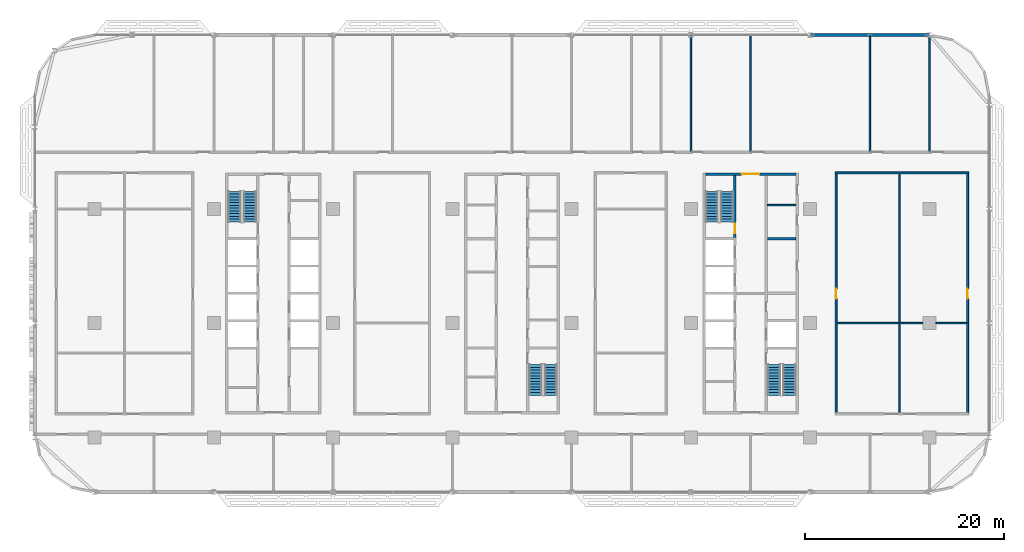
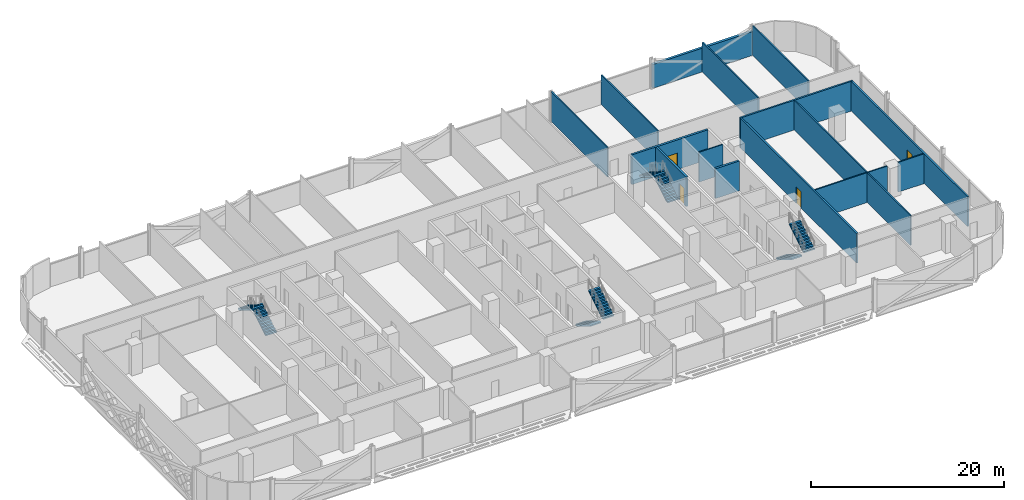
# One storey, part 18 of 28: 15 walls, 8 stair flights, 4 doors, 4 openings, 4 elements without a shape of their own.
"""IFC4 building model written with IfcOpenShell, lengths in metres."""

from ifc_helpers import new_model, si_unit, direction, frame, frame_2d, origin, place, context, subcontext, project, spatial, polyline, rectangle, outline, extrude, material, layer, layer_set, type_object, element, fill, aggregate, save


model = new_model("IFC4")

# Units and contexts
model_context = context("Model", 3, precision=1e-05, world=origin(), true_north=direction((0.0, 1.0)))
body_context = subcontext(model_context, "Body", "Model", "MODEL_VIEW")
ifc_project = project(units=[si_unit("LENGTHUNIT", "METRE"), si_unit("AREAUNIT", "SQUARE_METRE"), si_unit("VOLUMEUNIT", "CUBIC_METRE"), si_unit("PLANEANGLEUNIT", "RADIAN"), si_unit("MASSUNIT", "GRAM", prefix="KILO")], contexts=[model_context])

# Site, building, storey
site_placement = place(None, origin())
site = spatial("IfcSite", under=ifc_project, at=site_placement, CompositionType="ELEMENT")
building_placement = place(site_placement, origin())
building = spatial("IfcBuilding", under=site, at=building_placement, Name="Mahtab Terrace Research Tower", CompositionType="ELEMENT")
storey_placement = place(building_placement, frame((0.0, 0.0, 130.199951171875)))
storey = spatial("IfcBuildingStorey", under=building, at=storey_placement, Name="L30", CompositionType="ELEMENT", Elevation=130.199951171875)

# Wall
ifc_material_1 = material(Name="Gypsum board partition")
ifc_layer_1 = layer(ifc_material_1, 0.14990234375)
ifc_layer_set_1 = layer_set([ifc_layer_1], Name="Core partition 150")
wall_type_1 = type_object("IfcWallType", Name="Core partition 150", PredefinedType="PARTITIONING", material=ifc_layer_set_1)
wall_1_placement = place(storey_placement, frame((25.699951171875, 11.875, 0.0), z_axis=(0.0, 0.0, 1.0), x_axis=(1.0, 0.0, 0.0)))
element("IfcWall", 1, at=wall_1_placement, inside=storey, type_object=wall_type_1, Name="Core wall C pEN888", PredefinedType="PARTITIONING", context=body_context, shape_type="SweptSolid", body=[
    extrude(rectangle(XDim=2.85009765625, YDim=0.14990234375, at=frame_2d((1.425048828125, 0.0))), origin(), (0.0, 0.0, 1.0), 3.760009765625),
])

# Wall, opening, door
ifc_material_2 = material(Name="Concrete C70/85", Category="concrete")
ifc_layer_2 = layer(ifc_material_2, 0.25)
ifc_layer_set_2 = layer_set([ifc_layer_2], Name="Core wall 250")
wall_type_2 = type_object("IfcWallType", Name="Core wall 250", PredefinedType="SOLIDWALL", material=ifc_layer_set_2)
wall_2_placement = place(storey_placement, frame((19.449951171875, 15.0, 0.0), z_axis=(0.0, 0.0, 1.0), x_axis=(1.0, 0.0, 0.0)))
wall_2 = element("IfcWall", 2, at=wall_2_placement, inside=storey, type_object=wall_type_2, Name="Core wall C endN", PredefinedType="SOLIDWALL", context=body_context, shape_type="SweptSolid", body=[
    extrude(rectangle(XDim=9.10009765625, YDim=0.25, at=frame_2d((4.550048828125, 0.0))), origin(), (0.0, 0.0, 1.0), 3.760009765625),
])
opening_1_placement = place(wall_2_placement, frame((3.64990234375, 0.0, 0.0)))
opening_1 = element("IfcOpeningElement", 3, at=opening_1_placement, cuts=wall_2, Name="Opening C-N1", PredefinedType="OPENING", context=body_context, shape_type="SweptSolid", body=[
    extrude(rectangle(XDim=1.800048828125, YDim=2.10009765625, at=frame_2d((0.89990234375, 1.050048828125))), frame((0.0, 0.135009765625, 0.0), z_axis=(0.0, -1.0, 0.0), x_axis=(1.0, 0.0, 0.0)), (0.0, 0.0, 1.0), 0.27001953125),
])
ifc_material_3 = material(Name="Steel fire door", Category="steel")
door_type_1 = type_object("IfcDoorType", Name="Lobby double door 1800x2100 1 HR", OperationType="DOUBLE_DOOR_SINGLE_SWING", PredefinedType="DOOR", material=ifc_material_3)
door_1_placement = place(opening_1_placement, origin())
door_1 = element("IfcDoor", 4, at=door_1_placement, inside=storey, type_object=door_type_1, Name="Core entrance door C N", OperationType="DOUBLE_DOOR_SINGLE_SWING", OverallHeight=2.10009765625, OverallWidth=1.800048828125, PredefinedType="DOOR", context=body_context, shape_type="SweptSolid", body=[
    extrude(rectangle(XDim=1.800048828125, YDim=2.10009765625, at=frame_2d((0.89990234375, 1.050048828125))), frame((0.0, 0.02490234375, 0.0), z_axis=(0.0, -1.0, 0.0), x_axis=(1.0, 0.0, 0.0)), (0.0, 0.0, 1.0), 0.050048828125),
])
fill(opening_1, door_1)

wall_3_placement = place(storey_placement, frame((22.425048828125, 14.875, 0.0), z_axis=(0.0, 0.0, 1.0), x_axis=(0.0, -1.0, 0.0)))
wall_3 = element("IfcWall", 5, at=wall_3_placement, inside=storey, type_object=wall_type_2, Name="Core wall C innerWN", PredefinedType="SOLIDWALL", context=body_context, shape_type="SweptSolid", body=[
    extrude(rectangle(XDim=6.25, YDim=0.25, at=frame_2d((3.125, 0.0))), origin(), (0.0, 0.0, 1.0), 3.760009765625),
])
opening_2_placement = place(wall_3_placement, frame((4.85009765625, 0.0, 0.0)))
opening_2 = element("IfcOpeningElement", 6, at=opening_2_placement, cuts=wall_3, Name="Opening C-ST3", PredefinedType="OPENING", context=body_context, shape_type="SweptSolid", body=[
    extrude(rectangle(XDim=1.0, YDim=2.10009765625, at=frame_2d((0.5, 1.050048828125))), frame((0.0, 0.135009765625, 0.0), z_axis=(0.0, -1.0, 0.0), x_axis=(1.0, 0.0, 0.0)), (0.0, 0.0, 1.0), 0.27001953125),
])
door_type_2 = type_object("IfcDoorType", Name="Stair door 1000x2100 1.5 HR", OperationType="NOTDEFINED", PredefinedType="DOOR", material=ifc_material_3)
door_2_placement = place(opening_2_placement, origin())
door_2 = element("IfcDoor", 7, at=door_2_placement, inside=storey, type_object=door_type_2, Name="Stair door ST3 L30", OperationType="SINGLE_SWING_LEFT", OverallHeight=2.10009765625, OverallWidth=1.0, PredefinedType="DOOR", context=body_context, shape_type="SweptSolid", body=[
    extrude(rectangle(XDim=1.0, YDim=2.10009765625, at=frame_2d((0.5, 1.050048828125))), frame((0.0, 0.02490234375, 0.0), z_axis=(0.0, -1.0, 0.0), x_axis=(1.0, 0.0, 0.0)), (0.0, 0.0, 1.0), 0.050048828125),
])
fill(opening_2, door_2)

# Walls
wall_4_placement = place(storey_placement, frame((25.699951171875, 8.5, 0.0), z_axis=(0.0, 0.0, 1.0), x_axis=(1.0, 0.0, 0.0)))
element("IfcWall", 8, at=wall_4_placement, inside=storey, type_object=wall_type_2, Name="Core wall C divE4", PredefinedType="SOLIDWALL", context=body_context, shape_type="SweptSolid", body=[
    extrude(rectangle(XDim=2.85009765625, YDim=0.25, at=frame_2d((1.425048828125, 0.0))), origin(), (0.0, 0.0, 1.0), 3.760009765625),
])
ifc_material_4 = material(Name="Black aluminium cladding panel", Category="aluminium")
ifc_layer_3 = layer(ifc_material_4, 0.300048828125)
ifc_layer_set_3 = layer_set([ifc_layer_3], Name="Opaque facade wall 300")
wall_type_3 = type_object("IfcWallType", Name="Opaque facade wall 300", PredefinedType="NOTDEFINED", material=ifc_layer_set_3)
wall_5_placement = place(storey_placement, frame((41.982177734375, 29.0, 0.0), z_axis=(0.0, 0.0, 1.0), x_axis=(-1.0, 0.0, 0.0)))
element("IfcWall", 9, at=wall_5_placement, inside=storey, type_object=wall_type_3, Name="Opaque facade wall L30 N3", PredefinedType="NOTDEFINED", context=body_context, shape_type="SweptSolid", body=[
    extrude(rectangle(XDim=11.96435546875, YDim=0.300048828125, at=frame_2d((5.982177734375, 0.0))), origin(), (0.0, 0.0, 1.0), 3.003173828125),
])
ifc_material_5 = material(Name="Gypsum board corridor wall on steel studs", Category="steel")
ifc_layer_4 = layer(ifc_material_5, 0.199951171875)
ifc_layer_set_4 = layer_set([ifc_layer_4], Name="WALL CORRIDOR 200")
wall_type_4 = type_object("IfcWallType", Name="WALL CORRIDOR 200", PredefinedType="PARTITIONING", material=ifc_layer_set_4)
wall_6_placement = place(storey_placement, frame((32.5, 15.125, 0.0), z_axis=(0.0, 0.0, 1.0), x_axis=(1.0, 0.0, 0.0)))
element("IfcWall", 10, at=wall_6_placement, inside=storey, type_object=wall_type_4, Name="L30-W025", PredefinedType="PARTITIONING", context=body_context, shape_type="SweptSolid", body=[
    extrude(rectangle(XDim=13.449951171875, YDim=0.199951171875, at=frame_2d((6.72509765625, 0.0))), origin(), (0.0, 0.0, 1.0), 3.760009765625),
])

# Wall, opening, door
wall_7_placement = place(storey_placement, frame((32.60009765625, -9.02490234375, 0.0), z_axis=(0.0, 0.0, 1.0), x_axis=(0.0, 1.0, 0.0)))
wall_7 = element("IfcWall", 11, at=wall_7_placement, inside=storey, type_object=wall_type_4, Name="L30-W053", PredefinedType="PARTITIONING", context=body_context, shape_type="SweptSolid", body=[
    extrude(rectangle(XDim=24.0498046875, YDim=0.199951171875, at=frame_2d((12.02490234375, 0.0))), origin(), (0.0, 0.0, 1.0), 3.760009765625),
])
opening_3_placement = place(wall_7_placement, frame((11.5, 0.0, 0.0)))
opening_3 = element("IfcOpeningElement", 12, at=opening_3_placement, cuts=wall_7, Name="Opening L30-121", PredefinedType="OPENING", context=body_context, shape_type="SweptSolid", body=[
    extrude(rectangle(XDim=1.0, YDim=2.10009765625, at=frame_2d((0.5, 1.050048828125))), frame((0.0, 0.10986328125, 0.0), z_axis=(0.0, -1.0, 0.0), x_axis=(1.0, 0.0, 0.0)), (0.0, 0.0, 1.0), 0.219970703125),
])
ifc_material_6 = material(Name="Timber door leaf in steel frame", Category="steel")
door_type_3 = type_object("IfcDoorType", Name="DOOR 1000X2100 FD30S", OperationType="SINGLE_SWING_LEFT", PredefinedType="DOOR", material=ifc_material_6)
door_3_placement = place(opening_3_placement, origin())
door_3 = element("IfcDoor", 13, at=door_3_placement, inside=storey, type_object=door_type_3, Name="Door L30-121", OperationType="SINGLE_SWING_RIGHT", OverallHeight=2.10009765625, OverallWidth=1.0, PredefinedType="DOOR", context=body_context, shape_type="SweptSolid", body=[
    extrude(rectangle(XDim=1.0, YDim=2.10009765625, at=frame_2d((0.5, 1.050048828125))), frame((0.0, 0.02490234375, 0.0), z_axis=(0.0, -1.0, 0.0), x_axis=(1.0, 0.0, 0.0)), (0.0, 0.0, 1.0), 0.050048828125),
])
fill(opening_3, door_3)

wall_8_placement = place(storey_placement, frame((45.85009765625, -9.02490234375, 0.0), z_axis=(0.0, 0.0, 1.0), x_axis=(0.0, 1.0, 0.0)))
wall_8 = element("IfcWall", 14, at=wall_8_placement, inside=storey, type_object=wall_type_4, Name="L30-W059", PredefinedType="PARTITIONING", context=body_context, shape_type="SweptSolid", body=[
    extrude(rectangle(XDim=24.0498046875, YDim=0.199951171875, at=frame_2d((12.02490234375, 0.0))), origin(), (0.0, 0.0, 1.0), 3.760009765625),
])
opening_4_placement = place(wall_8_placement, frame((11.5, 0.0, 0.0)))
opening_4 = element("IfcOpeningElement", 15, at=opening_4_placement, cuts=wall_8, Name="Opening L30-122", PredefinedType="OPENING", context=body_context, shape_type="SweptSolid", body=[
    extrude(rectangle(XDim=1.0, YDim=2.10009765625, at=frame_2d((0.5, 1.050048828125))), frame((0.0, 0.10986328125, 0.0), z_axis=(0.0, -1.0, 0.0), x_axis=(1.0, 0.0, 0.0)), (0.0, 0.0, 1.0), 0.219970703125),
])
door_4_placement = place(opening_4_placement, origin())
door_4 = element("IfcDoor", 16, at=door_4_placement, inside=storey, type_object=door_type_3, Name="Door L30-122", OperationType="SINGLE_SWING_LEFT", OverallHeight=2.10009765625, OverallWidth=1.0, PredefinedType="DOOR", context=body_context, shape_type="SweptSolid", body=[
    extrude(rectangle(XDim=1.0, YDim=2.10009765625, at=frame_2d((0.5, 1.050048828125))), frame((0.0, 0.02490234375, 0.0), z_axis=(0.0, -1.0, 0.0), x_axis=(1.0, 0.0, 0.0)), (0.0, 0.0, 1.0), 0.050048828125),
])
fill(opening_4, door_4)

# Walls
ifc_material_7 = material(Name="Gypsum board partition on steel studs", Category="steel")
ifc_layer_5 = layer(ifc_material_7, 0.14990234375)
ifc_layer_set_5 = layer_set([ifc_layer_5], Name="WALL PARTITION 150")
wall_type_5 = type_object("IfcWallType", Name="WALL PARTITION 150", PredefinedType="PARTITIONING", material=ifc_layer_set_5)
wall_9_placement = place(storey_placement, frame((32.699951171875, 0.0, 0.0), z_axis=(0.0, 0.0, 1.0), x_axis=(1.0, 0.0, 0.0)))
element("IfcWall", 17, at=wall_9_placement, inside=storey, type_object=wall_type_5, Name="L30-W017", PredefinedType="PARTITIONING", context=body_context, shape_type="SweptSolid", body=[
    extrude(rectangle(XDim=8.650146484375, YDim=0.14990234375, at=frame_2d((4.3251953125, 0.0))), origin(), (0.0, 0.0, 1.0), 3.760009765625),
])
wall_10_placement = place(storey_placement, frame((42.64990234375, 0.0, 0.0), z_axis=(0.0, 0.0, 1.0), x_axis=(1.0, 0.0, 0.0)))
element("IfcWall", 18, at=wall_10_placement, inside=storey, type_object=wall_type_5, Name="L30-W018", PredefinedType="PARTITIONING", context=body_context, shape_type="SweptSolid", body=[
    extrude(rectangle(XDim=3.10009765625, YDim=0.14990234375, at=frame_2d((1.550048828125, 0.0))), origin(), (0.0, 0.0, 1.0), 3.760009765625),
])
for number, where, z_axis, x_axis, name in (
    (19, (18.0, 17.300048828125, 0.0), (0.0, 0.0, 1.0), (0.0, 1.0, 0.0), "L30-W050"),
    (20, (24.0, 17.300048828125, 0.0), (0.0, 0.0, 1.0), (0.0, 1.0, 0.0), "L30-W052"),
):
    element("IfcWall", number, at=place(storey_placement, frame(where, z_axis=z_axis, x_axis=x_axis)), inside=storey, type_object=wall_type_5, Name=name, PredefinedType="PARTITIONING", context=body_context, shape_type="SweptSolid", body=[
        extrude(rectangle(XDim=11.675048828125, YDim=0.14990234375, at=frame_2d((5.83740234375, 0.0))), origin(), (0.0, 0.0, 1.0), 3.760009765625),
    ])
wall_11_placement = place(storey_placement, frame((36.0, 17.300048828125, 0.0), z_axis=(0.0, 0.0, 1.0), x_axis=(0.0, 1.0, 0.0)))
element("IfcWall", 21, at=wall_11_placement, inside=storey, type_object=wall_type_5, Name="L30-W055", PredefinedType="PARTITIONING", context=body_context, shape_type="SweptSolid", body=[
    extrude(rectangle(XDim=11.550048828125, YDim=0.14990234375, at=frame_2d((5.77490234375, 0.0))), origin(), (0.0, 0.0, 1.0), 3.760009765625),
])
wall_12_placement = place(storey_placement, frame((39.0, -9.02490234375, 0.0), z_axis=(0.0, 0.0, 1.0), x_axis=(0.0, 1.0, 0.0)))
element("IfcWall", 22, at=wall_12_placement, inside=storey, type_object=wall_type_5, Name="L30-W056", PredefinedType="PARTITIONING", context=body_context, shape_type="SweptSolid", body=[
    extrude(rectangle(XDim=24.0498046875, YDim=0.14990234375, at=frame_2d((12.02490234375, 0.0))), origin(), (0.0, 0.0, 1.0), 3.760009765625),
])
wall_13_placement = place(storey_placement, frame((42.0, 17.300048828125, 0.0), z_axis=(0.0, 0.0, 1.0), x_axis=(0.0, 1.0, 0.0)))
element("IfcWall", 23, at=wall_13_placement, inside=storey, type_object=wall_type_5, Name="L30-W058", PredefinedType="PARTITIONING", context=body_context, shape_type="SweptSolid", body=[
    extrude(rectangle(XDim=11.547119140625, YDim=0.14990234375, at=frame_2d((5.7734375, 0.0))), origin(), (0.0, 0.0, 1.0), 3.760009765625),
])

# Stair, stair flights
ifc_material_8 = material(Name="Exit stair half-turn")
stair_type = type_object("IfcStairType", Name="Exit stair half-turn", PredefinedType="HALF_TURN_STAIR", material=ifc_material_8)
stair_1_placement = place(storey_placement, origin())
stair_1 = element("IfcStair", 24, at=stair_1_placement, inside=storey, type_object=stair_type, Name="L30 Protected exit stair ST1", PredefinedType="HALF_TURN_STAIR")
ifc_material_9 = material(Name="Concrete C40/50", Category="concrete")
stair_flight_type = type_object("IfcStairFlightType", Name="Exit stair flight 1300", PredefinedType="STRAIGHT", material=ifc_material_9)
stair_flight_1_placement = place(storey_placement, frame((-26.35009765625, 10.175048828125, 0.0), z_axis=(0.0, 0.0, 1.0), x_axis=(0.0, 1.0, 0.0)))
stair_flight_1 = element("IfcStairFlight", 25, at=stair_flight_1_placement, type_object=stair_flight_type, Name="ST1 flight 1", NumberOfRisers=12, NumberOfTreads=11, PredefinedType="STRAIGHT", RiserHeight=0.170833333, TreadLength=0.28, context=body_context, shape_type="SweptSolid", body=[
    extrude(outline(polyline([(0.0, 0.0), (0.0, 0.1708984375), (0.280029296875, 0.1708984375), (0.280029296875, 0.341552734375), (0.56005859375, 0.341552734375), (0.56005859375, 0.512451171875), (0.840087890625, 0.512451171875), (0.840087890625, 0.683349609375), (1.1201171875, 0.683349609375), (1.1201171875, 0.854248046875), (1.39990234375, 0.854248046875), (1.39990234375, 1.02490234375), (1.679931640625, 1.02490234375), (1.679931640625, 1.19580078125), (1.9599609375, 1.19580078125), (1.9599609375, 1.36669921875), (2.239990234375, 1.36669921875), (2.239990234375, 1.53759765625), (2.52001953125, 1.53759765625), (2.52001953125, 1.708251953125), (2.800048828125, 1.708251953125), (2.800048828125, 1.879150390625), (3.080078125, 1.879150390625), (3.080078125, 2.050048828125), (3.080078125, 1.70361328125), (0.287841796875, 0.0), (0.0, 0.0)])), frame((0.0, 0.64990234375, 0.0), z_axis=(0.0, -1.0, 0.0), x_axis=(1.0, 0.0, 0.0)), (0.0, 0.0, 1.0), 1.300048828125),
])
stair_flight_2_placement = place(storey_placement, frame((-27.89990234375, 13.2548828125, 2.050048828125), z_axis=(0.0, 0.0, 1.0), x_axis=(0.0, -1.0, 0.0)))
stair_flight_2 = element("IfcStairFlight", 26, at=stair_flight_2_placement, type_object=stair_flight_type, Name="ST1 flight 2", NumberOfRisers=12, NumberOfTreads=11, PredefinedType="STRAIGHT", RiserHeight=0.170833333, TreadLength=0.28, context=body_context, shape_type="SweptSolid", body=[
    extrude(outline(polyline([(0.0, 0.0), (0.0, 0.1708984375), (0.280029296875, 0.1708984375), (0.280029296875, 0.341552734375), (0.56005859375, 0.341552734375), (0.56005859375, 0.512451171875), (0.840087890625, 0.512451171875), (0.840087890625, 0.683349609375), (1.1201171875, 0.683349609375), (1.1201171875, 0.854248046875), (1.39990234375, 0.854248046875), (1.39990234375, 1.02490234375), (1.679931640625, 1.02490234375), (1.679931640625, 1.19580078125), (1.9599609375, 1.19580078125), (1.9599609375, 1.36669921875), (2.239990234375, 1.36669921875), (2.239990234375, 1.53759765625), (2.52001953125, 1.53759765625), (2.52001953125, 1.708251953125), (2.800048828125, 1.708251953125), (2.800048828125, 1.879150390625), (3.080078125, 1.879150390625), (3.080078125, 2.050048828125), (3.080078125, 1.70361328125), (0.287841796875, 0.0), (0.0, 0.0)])), frame((0.0, 0.64990234375, 0.0), z_axis=(0.0, -1.0, 0.0), x_axis=(1.0, 0.0, 0.0)), (0.0, 0.0, 1.0), 1.300048828125),
])
aggregate(stair_1, [stair_flight_1, stair_flight_2])

stair_2_placement = place(storey_placement, origin())
stair_2 = element("IfcStair", 27, at=stair_2_placement, inside=storey, type_object=stair_type, Name="L30 Protected exit stair ST2", PredefinedType="HALF_TURN_STAIR")
stair_flight_3_placement = place(storey_placement, frame((2.35009765625, -4.175048828125, 0.0), z_axis=(0.0, 0.0, 1.0), x_axis=(0.0, -1.0, 0.0)))
stair_flight_3 = element("IfcStairFlight", 28, at=stair_flight_3_placement, type_object=stair_flight_type, Name="ST2 flight 1", NumberOfRisers=12, NumberOfTreads=11, PredefinedType="STRAIGHT", RiserHeight=0.170833333, TreadLength=0.28, context=body_context, shape_type="SweptSolid", body=[
    extrude(outline(polyline([(0.0, 0.0), (0.0, 0.1708984375), (0.280029296875, 0.1708984375), (0.280029296875, 0.341552734375), (0.56005859375, 0.341552734375), (0.56005859375, 0.512451171875), (0.840087890625, 0.512451171875), (0.840087890625, 0.683349609375), (1.1201171875, 0.683349609375), (1.1201171875, 0.854248046875), (1.39990234375, 0.854248046875), (1.39990234375, 1.02490234375), (1.679931640625, 1.02490234375), (1.679931640625, 1.19580078125), (1.9599609375, 1.19580078125), (1.9599609375, 1.36669921875), (2.239990234375, 1.36669921875), (2.239990234375, 1.53759765625), (2.52001953125, 1.53759765625), (2.52001953125, 1.708251953125), (2.800048828125, 1.708251953125), (2.800048828125, 1.879150390625), (3.080078125, 1.879150390625), (3.080078125, 2.050048828125), (3.080078125, 1.70361328125), (0.287841796875, 0.0), (0.0, 0.0)])), frame((0.0, 0.64990234375, 0.0), z_axis=(0.0, -1.0, 0.0), x_axis=(1.0, 0.0, 0.0)), (0.0, 0.0, 1.0), 1.300048828125),
])
stair_flight_4_placement = place(storey_placement, frame((3.89990234375, -7.2548828125, 2.050048828125), z_axis=(0.0, 0.0, 1.0), x_axis=(0.0, 1.0, 0.0)))
stair_flight_4 = element("IfcStairFlight", 29, at=stair_flight_4_placement, type_object=stair_flight_type, Name="ST2 flight 2", NumberOfRisers=12, NumberOfTreads=11, PredefinedType="STRAIGHT", RiserHeight=0.170833333, TreadLength=0.28, context=body_context, shape_type="SweptSolid", body=[
    extrude(outline(polyline([(0.0, 0.0), (0.0, 0.1708984375), (0.280029296875, 0.1708984375), (0.280029296875, 0.341552734375), (0.56005859375, 0.341552734375), (0.56005859375, 0.512451171875), (0.840087890625, 0.512451171875), (0.840087890625, 0.683349609375), (1.1201171875, 0.683349609375), (1.1201171875, 0.854248046875), (1.39990234375, 0.854248046875), (1.39990234375, 1.02490234375), (1.679931640625, 1.02490234375), (1.679931640625, 1.19580078125), (1.9599609375, 1.19580078125), (1.9599609375, 1.36669921875), (2.239990234375, 1.36669921875), (2.239990234375, 1.53759765625), (2.52001953125, 1.53759765625), (2.52001953125, 1.708251953125), (2.800048828125, 1.708251953125), (2.800048828125, 1.879150390625), (3.080078125, 1.879150390625), (3.080078125, 2.050048828125), (3.080078125, 1.70361328125), (0.287841796875, 0.0), (0.0, 0.0)])), frame((0.0, 0.64990234375, 0.0), z_axis=(0.0, -1.0, 0.0), x_axis=(1.0, 0.0, 0.0)), (0.0, 0.0, 1.0), 1.300048828125),
])
aggregate(stair_2, [stair_flight_3, stair_flight_4])

stair_3_placement = place(storey_placement, origin())
stair_3 = element("IfcStair", 30, at=stair_3_placement, inside=storey, type_object=stair_type, Name="L30 Protected exit stair ST3", PredefinedType="HALF_TURN_STAIR")
stair_flight_5_placement = place(storey_placement, frame((21.64990234375, 10.175048828125, 0.0), z_axis=(0.0, 0.0, 1.0), x_axis=(0.0, 1.0, 0.0)))
stair_flight_5 = element("IfcStairFlight", 31, at=stair_flight_5_placement, type_object=stair_flight_type, Name="ST3 flight 1", NumberOfRisers=12, NumberOfTreads=11, PredefinedType="STRAIGHT", RiserHeight=0.170833333, TreadLength=0.28, context=body_context, shape_type="SweptSolid", body=[
    extrude(outline(polyline([(0.0, 0.0), (0.0, 0.1708984375), (0.280029296875, 0.1708984375), (0.280029296875, 0.341552734375), (0.56005859375, 0.341552734375), (0.56005859375, 0.512451171875), (0.840087890625, 0.512451171875), (0.840087890625, 0.683349609375), (1.1201171875, 0.683349609375), (1.1201171875, 0.854248046875), (1.39990234375, 0.854248046875), (1.39990234375, 1.02490234375), (1.679931640625, 1.02490234375), (1.679931640625, 1.19580078125), (1.9599609375, 1.19580078125), (1.9599609375, 1.36669921875), (2.239990234375, 1.36669921875), (2.239990234375, 1.53759765625), (2.52001953125, 1.53759765625), (2.52001953125, 1.708251953125), (2.800048828125, 1.708251953125), (2.800048828125, 1.879150390625), (3.080078125, 1.879150390625), (3.080078125, 2.050048828125), (3.080078125, 1.70361328125), (0.287841796875, 0.0), (0.0, 0.0)])), frame((0.0, 0.64990234375, 0.0), z_axis=(0.0, -1.0, 0.0), x_axis=(1.0, 0.0, 0.0)), (0.0, 0.0, 1.0), 1.300048828125),
])
stair_flight_6_placement = place(storey_placement, frame((20.10009765625, 13.2548828125, 2.050048828125), z_axis=(0.0, 0.0, 1.0), x_axis=(0.0, -1.0, 0.0)))
stair_flight_6 = element("IfcStairFlight", 32, at=stair_flight_6_placement, type_object=stair_flight_type, Name="ST3 flight 2", NumberOfRisers=12, NumberOfTreads=11, PredefinedType="STRAIGHT", RiserHeight=0.170833333, TreadLength=0.28, context=body_context, shape_type="SweptSolid", body=[
    extrude(outline(polyline([(0.0, 0.0), (0.0, 0.1708984375), (0.280029296875, 0.1708984375), (0.280029296875, 0.341552734375), (0.56005859375, 0.341552734375), (0.56005859375, 0.512451171875), (0.840087890625, 0.512451171875), (0.840087890625, 0.683349609375), (1.1201171875, 0.683349609375), (1.1201171875, 0.854248046875), (1.39990234375, 0.854248046875), (1.39990234375, 1.02490234375), (1.679931640625, 1.02490234375), (1.679931640625, 1.19580078125), (1.9599609375, 1.19580078125), (1.9599609375, 1.36669921875), (2.239990234375, 1.36669921875), (2.239990234375, 1.53759765625), (2.52001953125, 1.53759765625), (2.52001953125, 1.708251953125), (2.800048828125, 1.708251953125), (2.800048828125, 1.879150390625), (3.080078125, 1.879150390625), (3.080078125, 2.050048828125), (3.080078125, 1.70361328125), (0.287841796875, 0.0), (0.0, 0.0)])), frame((0.0, 0.64990234375, 0.0), z_axis=(0.0, -1.0, 0.0), x_axis=(1.0, 0.0, 0.0)), (0.0, 0.0, 1.0), 1.300048828125),
])
aggregate(stair_3, [stair_flight_5, stair_flight_6])

stair_4_placement = place(storey_placement, origin())
stair_4 = element("IfcStair", 33, at=stair_4_placement, inside=storey, type_object=stair_type, Name="L30 Protected exit stair ST4", PredefinedType="HALF_TURN_STAIR")
stair_flight_7_placement = place(storey_placement, frame((26.35009765625, -4.175048828125, 0.0), z_axis=(0.0, 0.0, 1.0), x_axis=(0.0, -1.0, 0.0)))
stair_flight_7 = element("IfcStairFlight", 34, at=stair_flight_7_placement, type_object=stair_flight_type, Name="ST4 flight 1", NumberOfRisers=12, NumberOfTreads=11, PredefinedType="STRAIGHT", RiserHeight=0.170833333, TreadLength=0.28, context=body_context, shape_type="SweptSolid", body=[
    extrude(outline(polyline([(0.0, 0.0), (0.0, 0.1708984375), (0.280029296875, 0.1708984375), (0.280029296875, 0.341552734375), (0.56005859375, 0.341552734375), (0.56005859375, 0.512451171875), (0.840087890625, 0.512451171875), (0.840087890625, 0.683349609375), (1.1201171875, 0.683349609375), (1.1201171875, 0.854248046875), (1.39990234375, 0.854248046875), (1.39990234375, 1.02490234375), (1.679931640625, 1.02490234375), (1.679931640625, 1.19580078125), (1.9599609375, 1.19580078125), (1.9599609375, 1.36669921875), (2.239990234375, 1.36669921875), (2.239990234375, 1.53759765625), (2.52001953125, 1.53759765625), (2.52001953125, 1.708251953125), (2.800048828125, 1.708251953125), (2.800048828125, 1.879150390625), (3.080078125, 1.879150390625), (3.080078125, 2.050048828125), (3.080078125, 1.70361328125), (0.287841796875, 0.0), (0.0, 0.0)])), frame((0.0, 0.64990234375, 0.0), z_axis=(0.0, -1.0, 0.0), x_axis=(1.0, 0.0, 0.0)), (0.0, 0.0, 1.0), 1.300048828125),
])
stair_flight_8_placement = place(storey_placement, frame((27.89990234375, -7.2548828125, 2.050048828125), z_axis=(0.0, 0.0, 1.0), x_axis=(0.0, 1.0, 0.0)))
stair_flight_8 = element("IfcStairFlight", 35, at=stair_flight_8_placement, type_object=stair_flight_type, Name="ST4 flight 2", NumberOfRisers=12, NumberOfTreads=11, PredefinedType="STRAIGHT", RiserHeight=0.170833333, TreadLength=0.28, context=body_context, shape_type="SweptSolid", body=[
    extrude(outline(polyline([(0.0, 0.0), (0.0, 0.1708984375), (0.280029296875, 0.1708984375), (0.280029296875, 0.341552734375), (0.56005859375, 0.341552734375), (0.56005859375, 0.512451171875), (0.840087890625, 0.512451171875), (0.840087890625, 0.683349609375), (1.1201171875, 0.683349609375), (1.1201171875, 0.854248046875), (1.39990234375, 0.854248046875), (1.39990234375, 1.02490234375), (1.679931640625, 1.02490234375), (1.679931640625, 1.19580078125), (1.9599609375, 1.19580078125), (1.9599609375, 1.36669921875), (2.239990234375, 1.36669921875), (2.239990234375, 1.53759765625), (2.52001953125, 1.53759765625), (2.52001953125, 1.708251953125), (2.800048828125, 1.708251953125), (2.800048828125, 1.879150390625), (3.080078125, 1.879150390625), (3.080078125, 2.050048828125), (3.080078125, 1.70361328125), (0.287841796875, 0.0), (0.0, 0.0)])), frame((0.0, 0.64990234375, 0.0), z_axis=(0.0, -1.0, 0.0), x_axis=(1.0, 0.0, 0.0)), (0.0, 0.0, 1.0), 1.300048828125),
])
aggregate(stair_4, [stair_flight_7, stair_flight_8])

save(model, "model.ifc")
